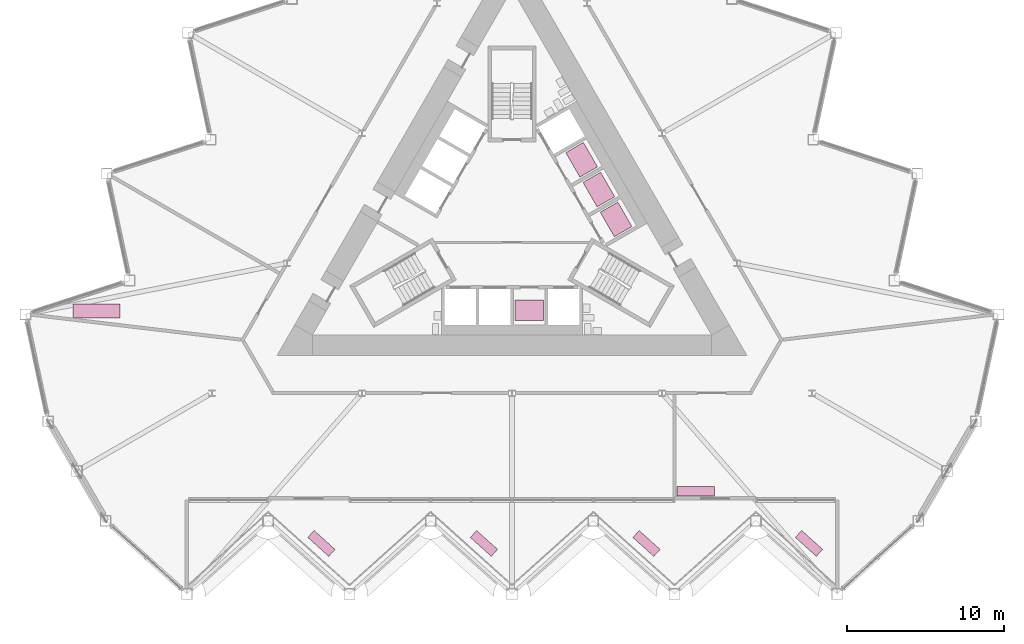
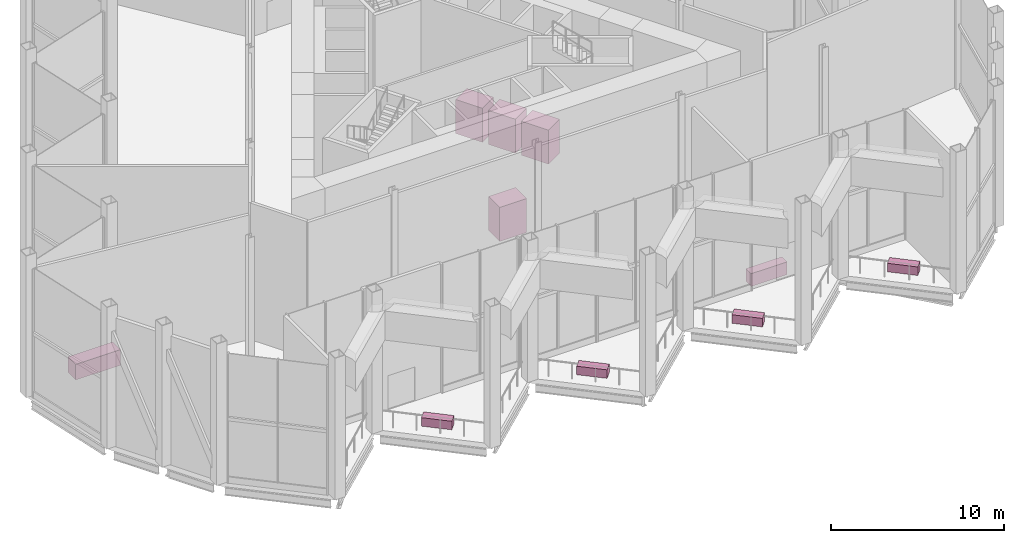
# One storey, part 17 of 17: 6 furniture elements, 4 transport elements.
"""IFC4 building model written with IfcOpenShell, lengths in metres."""

from ifc_helpers import new_model, si_unit, direction, frame, origin, origin_2d, place, context, subcontext, project, spatial, rectangle, extrude, material, type_object, element, save


model = new_model("IFC4")

# Units and contexts
model_context = context("Model", 3, precision=1e-05, world=origin(), true_north=direction((0.0, 1.0)))
body_context = subcontext(model_context, "Body", "Model", "MODEL_VIEW")
ifc_project = project(units=[si_unit("LENGTHUNIT", "METRE"), si_unit("AREAUNIT", "SQUARE_METRE"), si_unit("VOLUMEUNIT", "CUBIC_METRE"), si_unit("PLANEANGLEUNIT", "RADIAN"), si_unit("MASSUNIT", "GRAM", prefix="KILO")], contexts=[model_context])

# Site, building, storey
site_placement = place(None, origin())
site = spatial("IfcSite", under=ifc_project, at=site_placement, CompositionType="ELEMENT")
building_placement = place(site_placement, origin())
building = spatial("IfcBuilding", under=site, at=building_placement, Name="Cormorant Prow Tower", CompositionType="ELEMENT")
storey_placement = place(building_placement, frame((0.0, 0.0, 277.800048828125)))
storey = spatial("IfcBuildingStorey", under=building, at=storey_placement, Name="L63", CompositionType="ELEMENT", Elevation=277.800048828125)

# Furniture
ifc_material_1 = material(Name="Timber joinery", Category="wood")
furniture_type_1 = type_object("IfcFurnitureType", Name="Kitchen counter 2400x600", AssemblyPlace="NOTDEFINED", PredefinedType="NOTDEFINED", material=ifc_material_1)
furniture_1_placement = place(storey_placement, frame((11.721435546875, -17.323486328125, 0.0), z_axis=(0.0, 0.0, 1.0), x_axis=(1.0, 0.0, 0.0)))
element("IfcFurniture", 1, at=furniture_1_placement, inside=storey, type_object=furniture_type_1, Name="Kitchen counter", PredefinedType="NOTDEFINED", context=body_context, shape_type="SweptSolid", body=[
    extrude(rectangle(XDim=2.39990234375, YDim=0.60009765625, at=origin_2d()), origin(), (0.0, 0.0, 1.0), 0.89990234375),
])

# Transport elements
ifc_material_2 = material(Name="Stainless steel", Category="steel")
transport_element_type = type_object("IfcTransportElementType", Name="Passenger lift car 1800x1300", PredefinedType="ELEVATOR", material=ifc_material_2)
for number, where, z_axis, x_axis, name in (
    (2, (1.10009765625, -5.77001953125, 0.0), (0.0, 0.0, 1.0), (1.0, 0.0, 0.0), "High-rise lift HR1"),
    (3, (6.64697265625, 0.027099609375, 0.0), (0.0, 0.0, 1.0), (-0.5, 0.866025403784, 0.0), "High-rise lift HR2"),
    (4, (5.547119140625, 1.932373046875, 0.0), (0.0, 0.0, 1.0), (-0.5, 0.866025403784, 0.0), "High-rise lift HR3"),
    (5, (4.447021484375, 3.837646484375, 0.0), (0.0, 0.0, 1.0), (-0.5, 0.866025403784, 0.0), "High-rise lift HR4"),
):
    element("IfcTransportElement", number, at=place(storey_placement, frame(where, z_axis=z_axis, x_axis=x_axis)), inside=storey, type_object=transport_element_type, Name=name, PredefinedType="ELEVATOR", context=body_context, shape_type="SweptSolid", body=[
        extrude(rectangle(XDim=1.800048828125, YDim=1.300048828125, at=origin_2d()), origin(), (0.0, 0.0, 1.0), 2.39990234375),
    ])

# Furniture
ifc_material_3 = material(Name="Timber joinery", Category="wood")
furniture_type_2 = type_object("IfcFurnitureType", Name="Reception desk 3000x900", AssemblyPlace="NOTDEFINED", PredefinedType="DESK", material=ifc_material_3)
furniture_2_placement = place(storey_placement, frame((-26.52783203125, -5.80859375, 0.0), z_axis=(0.0, 0.0, 1.0), x_axis=(1.0, 0.0, 0.0)))
element("IfcFurniture", 6, at=furniture_2_placement, inside=storey, type_object=furniture_type_2, Name="Reception desk", PredefinedType="DESK", context=body_context, shape_type="SweptSolid", body=[
    extrude(rectangle(XDim=3.0, YDim=0.89990234375, at=origin_2d()), origin(), (0.0, 0.0, 1.0), 1.10009765625),
])
ifc_material_4 = material(Name="Terracotta", Category="masonry")
furniture_type_3 = type_object("IfcFurnitureType", Name="Terrace planter 1800x600x600", AssemblyPlace="NOTDEFINED", PredefinedType="USERDEFINED", material=ifc_material_4)
for number, where, z_axis, x_axis, name in (
    (7, (-12.167724609375, -20.659423828125, 0.0), (0.0, 0.0, 1.0), (0.743144845331, -0.669130584309, 0.0), "Terrace planter S02"),
    (8, (-1.791259765625, -20.659423828125, 0.0), (0.0, 0.0, 1.0), (0.743144845331, -0.669130584309, 0.0), "Terrace planter S04"),
    (9, (8.585205078125, -20.659423828125, 0.0), (0.0, 0.0, 1.0), (0.743144781204, -0.669130655529, 0.0), "Terrace planter S06"),
    (10, (18.9619140625, -20.659423828125, 0.0), (0.0, 0.0, 1.0), (0.743144845331, -0.669130584309, 0.0), "Terrace planter S08"),
):
    element("IfcFurniture", number, at=place(storey_placement, frame(where, z_axis=z_axis, x_axis=x_axis)), inside=storey, type_object=furniture_type_3, Name=name, ObjectType="PLANTER", PredefinedType="USERDEFINED", context=body_context, shape_type="SweptSolid", body=[
        extrude(rectangle(XDim=1.800048828125, YDim=0.60009765625, at=origin_2d()), origin(), (0.0, 0.0, 1.0), 0.60009765625),
    ])

save(model, "model.ifc")
